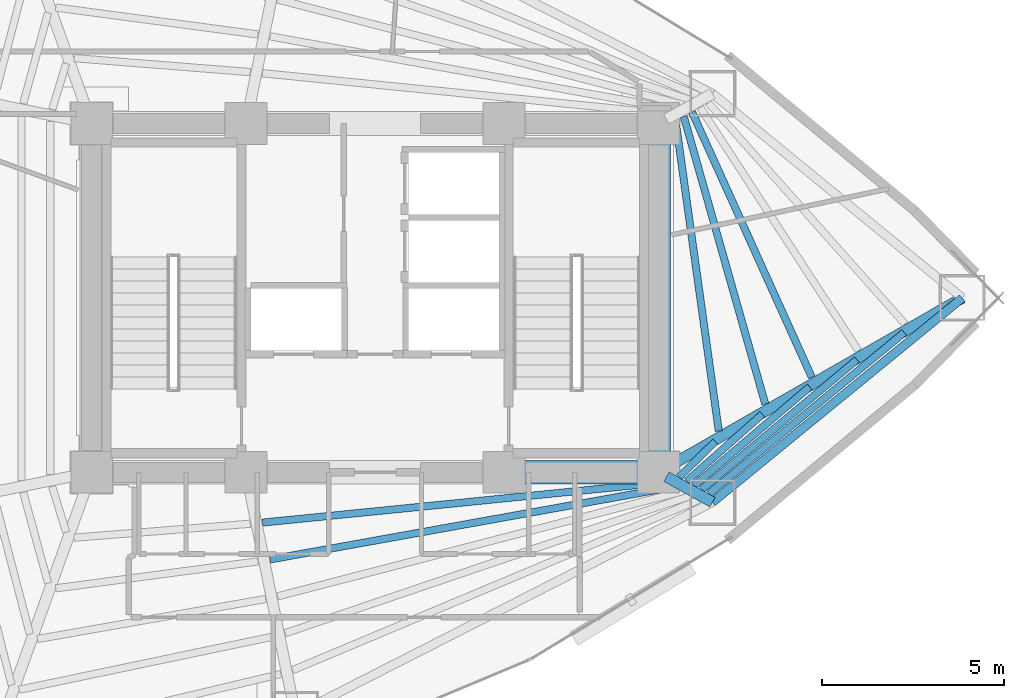
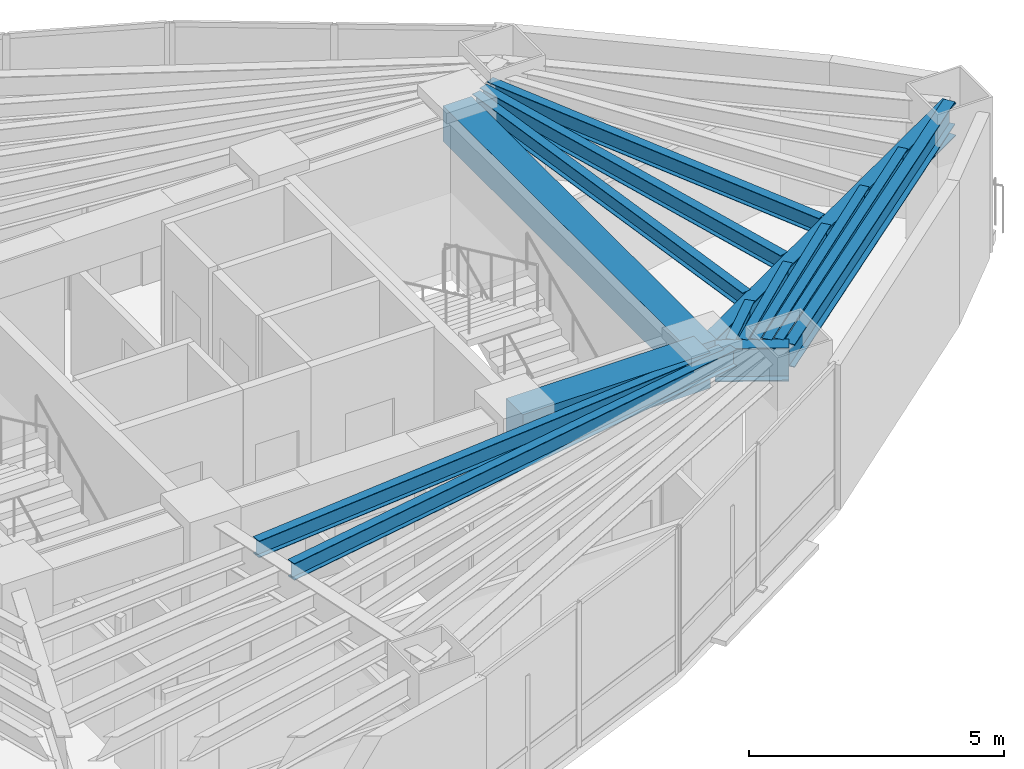
# One storey, part 6 of 19: 15 beams.
"""IFC4 building model written with IfcOpenShell, lengths in metres."""

from ifc_helpers import new_model, si_unit, direction, frame, origin, origin_2d, place, context, subcontext, project, spatial, rectangle, i_section, extrude, material, material_profile, profile_set, type_object, element, save


model = new_model("IFC4")

# Units and contexts
model_context = context("Model", 3, precision=1e-05, world=origin(), true_north=direction((0.0, 1.0)))
body_context = subcontext(model_context, "Body", "Model", "MODEL_VIEW")
ifc_project = project(units=[si_unit("LENGTHUNIT", "METRE"), si_unit("AREAUNIT", "SQUARE_METRE"), si_unit("VOLUMEUNIT", "CUBIC_METRE"), si_unit("PLANEANGLEUNIT", "RADIAN"), si_unit("MASSUNIT", "GRAM", prefix="KILO")], contexts=[model_context])

# Site, building, storey
site_placement = place(None, origin())
site = spatial("IfcSite", under=ifc_project, at=site_placement, CompositionType="ELEMENT")
building_placement = place(site_placement, origin())
building = spatial("IfcBuilding", under=site, at=building_placement, Name="Menara Vayukalpa", CompositionType="ELEMENT")
storey_placement = place(building_placement, frame((0.0, 0.0, 122.580078125)))
storey = spatial("IfcBuildingStorey", under=building, at=storey_placement, Name="L30", CompositionType="ELEMENT", Elevation=122.580078125)

# Beams
ifc_material_1 = material(Name="Concrete C60/75", Category="concrete")
ifc_material_profile_1 = material_profile(ifc_material_1, rectangle(XDim=0.64990234375, YDim=0.85009765625, at=origin_2d()), Name="RC 650x850")
ifc_profile_set_1 = profile_set([ifc_material_profile_1], Name="Concrete C60/75")
beam_type_1 = type_object("IfcBeamType", Name="BM-CB1", PredefinedType="BEAM", material=ifc_profile_set_1)
beam_1_placement = place(storey_placement, frame((29.14990234375, 17.199951171875, 3.044921875), z_axis=(1.0, 0.0, 0.0), x_axis=(0.0, 1.0, 0.0)))
element("IfcBeam", 1, at=beam_1_placement, inside=storey, type_object=beam_type_1, Name="L30 Core Tie Beam CBR3", PredefinedType="BEAM", context=body_context, shape_type="SweptSolid", body=[
    extrude(rectangle(XDim=0.64990234375, YDim=0.85009765625, at=origin_2d()), origin(), (0.0, 0.0, 1.0), 4.25),
])
beam_2_placement = place(storey_placement, frame((33.39990234375, 17.199951171875, 3.044921875), z_axis=(0.0, 1.0, 0.0), x_axis=(-1.0, 0.0, 0.0)))
element("IfcBeam", 2, at=beam_2_placement, inside=storey, type_object=beam_type_1, Name="L30 Core Tie Beam CBR8", PredefinedType="BEAM", context=body_context, shape_type="SweptSolid", body=[
    extrude(rectangle(XDim=0.64990234375, YDim=0.85009765625, at=origin_2d()), origin(), (0.0, 0.0, 1.0), 9.60009765625),
])
ifc_material_2 = material(Name="Steel S355", Category="steel")
ifc_material_profile_2 = material_profile(ifc_material_2, i_section(OverallWidth=0.300048828125, OverallDepth=0.800048828125, WebThickness=0.013916015625, FlangeThickness=0.02587890625, at=origin_2d()), Name="WF 800x300x14x26")
ifc_profile_set_2 = profile_set([ifc_material_profile_2], Name="Steel S355")
beam_type_2 = type_object("IfcBeamType", Name="BM-PG3", PredefinedType="BEAM", material=ifc_profile_set_2)
beam_3_placement = place(storey_placement, frame((33.61669921875, 17.324462890625, 3.06982421875), z_axis=(0.867273673572, 0.497831673488, 0.0), x_axis=(-0.497831673488, 0.867273673572, 0.0)))
element("IfcBeam", 3, at=beam_3_placement, inside=storey, type_object=beam_type_2, Name="L30 Primary Radial Girder RG01", PredefinedType="BEAM", context=body_context, shape_type="SweptSolid", body=[
    extrude(i_section(OverallWidth=0.300048828125, OverallDepth=0.800048828125, WebThickness=0.013916015625, FlangeThickness=0.02587890625, at=origin_2d()), origin(), (0.0, 0.0, 1.0), 9.391845703125),
])
beam_4_placement = place(storey_placement, frame((33.618896484375, 17.0791015625, 3.06982421875), z_axis=(0.875228391676, -0.48370989488, 0.0), x_axis=(0.48370989488, 0.875228391676, 0.0)))
element("IfcBeam", 4, at=beam_4_placement, inside=storey, type_object=beam_type_2, Name="L30 Primary Radial Girder RG09", PredefinedType="BEAM", context=body_context, shape_type="SweptSolid", body=[
    extrude(i_section(OverallWidth=0.300048828125, OverallDepth=0.800048828125, WebThickness=0.013916015625, FlangeThickness=0.02587890625, at=origin_2d()), origin(), (0.0, 0.0, 1.0), 1.448486328125),
])
ifc_material_3 = material(Name="Steel S355", Category="steel")
ifc_material_profile_3 = material_profile(ifc_material_3, i_section(OverallWidth=0.199951171875, OverallDepth=0.39990234375, WebThickness=0.008056640625, FlangeThickness=0.012939453125, at=origin_2d()), Name="WF 400x200x8x13")
ifc_profile_set_3 = profile_set([ifc_material_profile_3], Name="Steel S355")
beam_type_3 = type_object("IfcBeamType", Name="BM-SJ2", PredefinedType="JOIST", material=ifc_profile_set_3)
beam_5_placement = place(storey_placement, frame((35.0595703125, 18.33447265625, 3.27001953125), z_axis=(-0.137826740717, 0.990456354184, 0.0), x_axis=(-0.990456354184, -0.137826740717, 0.0)))
element("IfcBeam", 5, at=beam_5_placement, inside=storey, type_object=beam_type_3, Name="L30 Secondary Floor Joist SJ01-1", PredefinedType="JOIST", context=body_context, shape_type="SweptSolid", body=[
    extrude(i_section(OverallWidth=0.199951171875, OverallDepth=0.39990234375, WebThickness=0.008056640625, FlangeThickness=0.012939453125, at=origin_2d()), origin(), (0.0, 0.0, 1.0), 8.62646484375),
])
beam_6_placement = place(storey_placement, frame((36.33984375, 19.07763671875, 3.27001953125), z_axis=(-0.272628202831, 0.962119464007, 0.0), x_axis=(-0.962119464007, -0.272628202831, 0.0)))
element("IfcBeam", 6, at=beam_6_placement, inside=storey, type_object=beam_type_3, Name="L30 Secondary Floor Joist SJ01-2", PredefinedType="JOIST", context=body_context, shape_type="SweptSolid", body=[
    extrude(i_section(OverallWidth=0.199951171875, OverallDepth=0.39990234375, WebThickness=0.008056640625, FlangeThickness=0.012939453125, at=origin_2d()), origin(), (0.0, 0.0, 1.0), 8.229736328125),
])
beam_7_placement = place(storey_placement, frame((37.619384765625, 19.817138671875, 3.27001953125), z_axis=(-0.411603873645, 0.911362853753, 0.0), x_axis=(-0.911362853753, -0.411603873645, 0.0)))
element("IfcBeam", 7, at=beam_7_placement, inside=storey, type_object=beam_type_3, Name="L30 Secondary Floor Joist SJ01-3", PredefinedType="JOIST", context=body_context, shape_type="SweptSolid", body=[
    extrude(i_section(OverallWidth=0.199951171875, OverallDepth=0.39990234375, WebThickness=0.008056640625, FlangeThickness=0.012939453125, at=origin_2d()), origin(), (0.0, 0.0, 1.0), 8.00927734375),
])
beam_8_placement = place(storey_placement, frame((22.50439453125, 15.81591796875, 3.27001953125), z_axis=(0.995012836574, 0.099746955103, 0.0), x_axis=(-0.099746955103, 0.995012836574, 0.0)))
element("IfcBeam", 8, at=beam_8_placement, inside=storey, type_object=beam_type_3, Name="L30 Secondary Floor Joist SJ08-1", PredefinedType="JOIST", context=body_context, shape_type="SweptSolid", body=[
    extrude(i_section(OverallWidth=0.199951171875, OverallDepth=0.39990234375, WebThickness=0.008056640625, FlangeThickness=0.012939453125, at=origin_2d()), origin(), (0.0, 0.0, 1.0), 11.2294921875),
])
beam_9_placement = place(storey_placement, frame((22.7119140625, 14.801513671875, 3.27001953125), z_axis=(0.984205443357, 0.177030068819, 0.0), x_axis=(-0.177030068819, 0.984205443357, 0.0)))
element("IfcBeam", 9, at=beam_9_placement, inside=storey, type_object=beam_type_3, Name="L30 Secondary Floor Joist SJ08-2", PredefinedType="JOIST", context=body_context, shape_type="SweptSolid", body=[
    extrude(i_section(OverallWidth=0.199951171875, OverallDepth=0.39990234375, WebThickness=0.008056640625, FlangeThickness=0.012939453125, at=origin_2d()), origin(), (0.0, 0.0, 1.0), 11.349853515625),
])
beam_10_placement = place(storey_placement, frame((33.968505859375, 17.072021484375, 3.27001953125), z_axis=(0.713567159094, 0.700586832208, 0.0), x_axis=(-0.700586832208, 0.713567159094, 0.0)))
element("IfcBeam", 10, at=beam_10_placement, inside=storey, type_object=beam_type_3, Name="L30 Secondary Floor Joist SJ09-1", PredefinedType="JOIST", context=body_context, shape_type="SweptSolid", body=[
    extrude(i_section(OverallWidth=0.199951171875, OverallDepth=0.39990234375, WebThickness=0.008056640625, FlangeThickness=0.012939453125, at=origin_2d()), origin(), (0.0, 0.0, 1.0), 1.391845703125),
])
beam_11_placement = place(storey_placement, frame((34.177001953125, 16.95361328125, 3.27001953125), z_axis=(0.747951028434, 0.663753914539, 0.0), x_axis=(-0.663753914539, 0.747951028434, 0.0)))
element("IfcBeam", 11, at=beam_11_placement, inside=storey, type_object=beam_type_3, Name="L30 Secondary Floor Joist SJ09-2", PredefinedType="JOIST", context=body_context, shape_type="SweptSolid", body=[
    extrude(i_section(OverallWidth=0.199951171875, OverallDepth=0.39990234375, WebThickness=0.008056640625, FlangeThickness=0.012939453125, at=origin_2d()), origin(), (0.0, 0.0, 1.0), 2.78369140625),
])
beam_12_placement = place(storey_placement, frame((34.382080078125, 16.839111328125, 3.27001953125), z_axis=(0.760566613353, 0.649259906858, 0.0), x_axis=(-0.649259906858, 0.760566613353, 0.0)))
element("IfcBeam", 12, at=beam_12_placement, inside=storey, type_object=beam_type_3, Name="L30 Secondary Floor Joist SJ09-3", PredefinedType="JOIST", context=body_context, shape_type="SweptSolid", body=[
    extrude(i_section(OverallWidth=0.199951171875, OverallDepth=0.39990234375, WebThickness=0.008056640625, FlangeThickness=0.012939453125, at=origin_2d()), origin(), (0.0, 0.0, 1.0), 4.178466796875),
])
beam_13_placement = place(storey_placement, frame((34.586181640625, 16.7255859375, 3.27001953125), z_axis=(0.767139570374, 0.64148022539, 0.0), x_axis=(-0.64148022539, 0.767139570374, 0.0)))
element("IfcBeam", 13, at=beam_13_placement, inside=storey, type_object=beam_type_3, Name="L30 Secondary Floor Joist SJ09-4", PredefinedType="JOIST", context=body_context, shape_type="SweptSolid", body=[
    extrude(i_section(OverallWidth=0.199951171875, OverallDepth=0.39990234375, WebThickness=0.008056640625, FlangeThickness=0.012939453125, at=origin_2d()), origin(), (0.0, 0.0, 1.0), 5.57421875),
])
beam_14_placement = place(storey_placement, frame((34.789794921875, 16.61279296875, 3.27001953125), z_axis=(0.771153144941, 0.636649689428, 0.0), x_axis=(-0.636649689428, 0.771153144941, 0.0)))
element("IfcBeam", 14, at=beam_14_placement, inside=storey, type_object=beam_type_3, Name="L30 Secondary Floor Joist SJ09-5", PredefinedType="JOIST", context=body_context, shape_type="SweptSolid", body=[
    extrude(i_section(OverallWidth=0.199951171875, OverallDepth=0.39990234375, WebThickness=0.008056640625, FlangeThickness=0.012939453125, at=origin_2d()), origin(), (0.0, 0.0, 1.0), 6.969970703125),
])
ifc_material_4 = material(Name="Steel S355", Category="steel")
ifc_material_profile_4 = material_profile(ifc_material_4, i_section(OverallWidth=0.239990234375, OverallDepth=0.550048828125, WebThickness=0.010986328125, FlangeThickness=0.01904296875, at=origin_2d()), Name="WF 550x240x11x19")
ifc_profile_set_4 = profile_set([ifc_material_profile_4], Name="Steel S355")
beam_type_4 = type_object("IfcBeamType", Name="BM-SP2", PredefinedType="SPANDREL", material=ifc_profile_set_4)
beam_15_placement = place(storey_placement, frame((34.88671875, 16.37841796875, 3.19482421875), z_axis=(0.774156906301, 0.632993747541, 0.0), x_axis=(-0.632993747541, 0.774156906301, 0.0)))
element("IfcBeam", 15, at=beam_15_placement, inside=storey, type_object=beam_type_4, Name="L30 Perimeter Spandrel Beam SP09", PredefinedType="SPANDREL", context=body_context, shape_type="SweptSolid", body=[
    extrude(i_section(OverallWidth=0.239990234375, OverallDepth=0.550048828125, WebThickness=0.010986328125, FlangeThickness=0.01904296875, at=origin_2d()), origin(), (0.0, 0.0, 1.0), 8.880859375),
])

save(model, "model.ifc")
